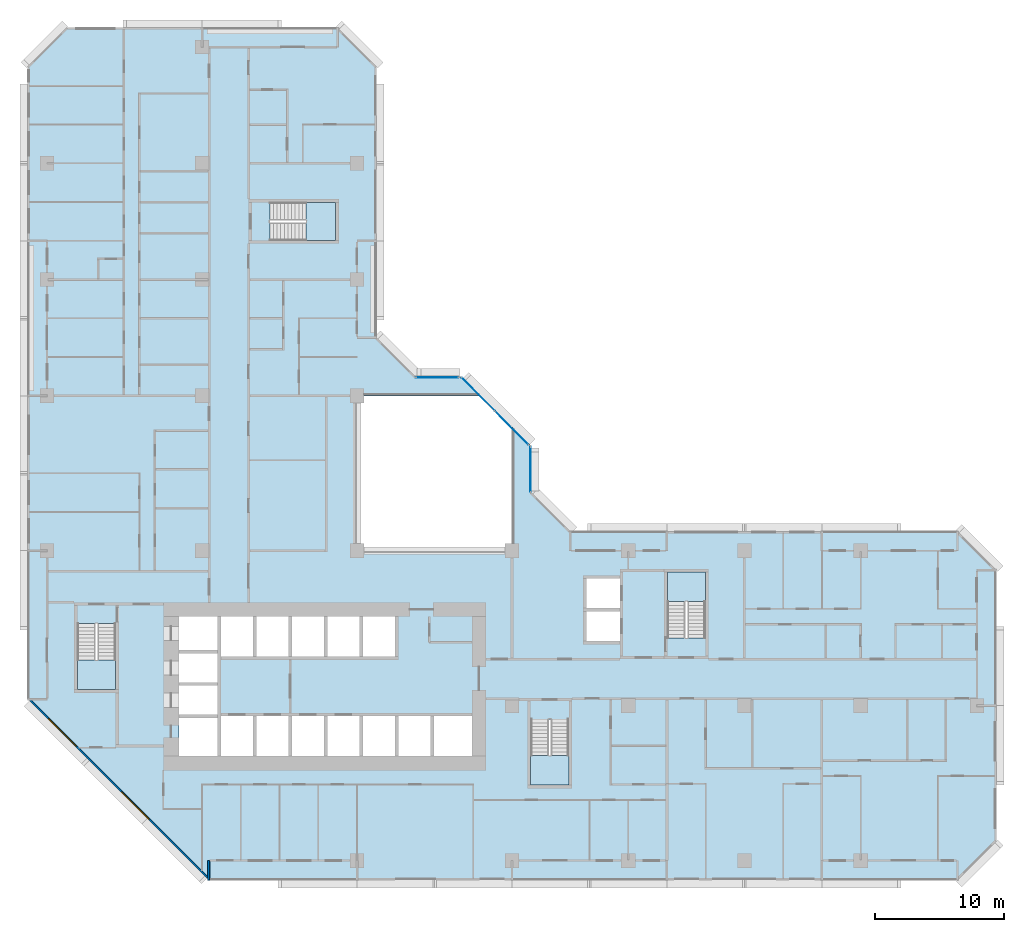
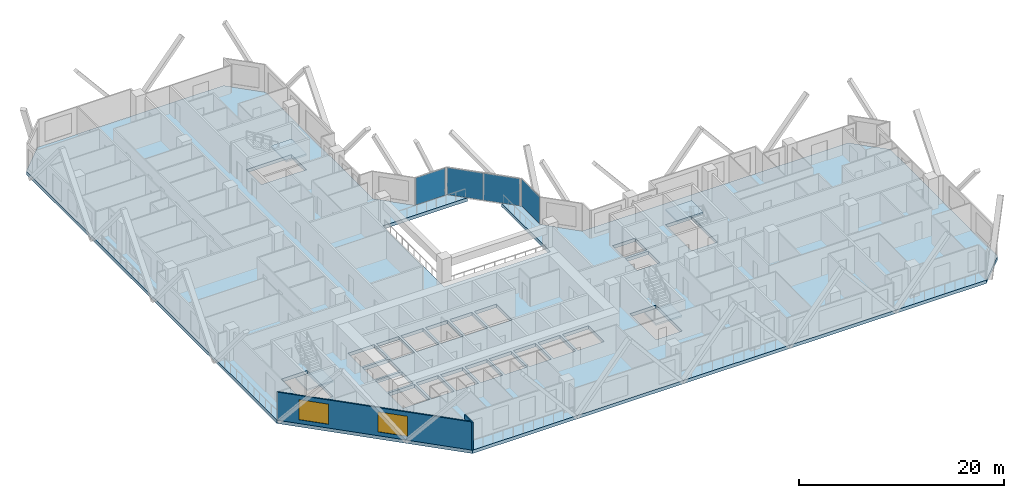
# One storey, part 3 of 15: 5 slabs, 4 plates, 2 walls, 2 windows, 2 openings, 7 elements without a shape of their own.
"""IFC4 building model written with IfcOpenShell, lengths in metres."""

import ifcopenshell
import ifcopenshell.guid

model = None  # the IFC model being written
_history = None  # IfcOwnerHistory: only IFC2X3 demands one
_inside = {}  # id of a spatial element -> (the spatial element, [elements in it])
_under = {}  # id of a project, library or spatial element -> (it, [spatial elements below it])
_declared = {}  # id of a project -> (the project, [libraries it declares])
_typed = {}  # id of a type object -> (the type object, [elements of that type])
_made_of = {}  # id of a material, layer set ... -> (it, [elements and type objects made of it])


def new_model(schema):
    """Start an empty IFC model of exactly this schema.

    Asked for "IFC4X3", IfcOpenShell would pick the latest addendum, in which some entities
    have other attributes; the version numbers below select the first issue.
    IFC2X3 requires an IfcOwnerHistory on every rooted entity: one is made here for all.
    """
    global model, _history
    if schema == "IFC4X3":
        model = ifcopenshell.file(schema_version=(4, 3, 0, 0))
    else:
        model = ifcopenshell.file(schema=schema)
    _inside.clear()
    _under.clear()
    _declared.clear()
    _typed.clear()
    _made_of.clear()
    _history = None
    if model.schema == "IFC2X3":
        org = make("IfcOrganization", Name="unknown")
        user = make(
            "IfcPersonAndOrganization",
            ThePerson=make("IfcPerson", FamilyName="unknown"),
            TheOrganization=org,
        )
        app = make(
            "IfcApplication",
            ApplicationDeveloper=org,
            Version="unknown",
            ApplicationFullName="unknown",
            ApplicationIdentifier="unknown",
        )
        _history = make(
            "IfcOwnerHistory",
            OwningUser=user,
            OwningApplication=app,
            ChangeAction="ADDED",
            CreationDate=0,
        )
    return model


def make(cls, **values):
    """One entity of the class cls with the attributes given. An attribute that is None is left unset."""
    return model.create_entity(
        cls, **{name: value for name, value in values.items() if value is not None}
    )


def rooted(cls, **values):
    """An entity with a GlobalId (a new one), such as an element, a storey or a relation."""
    return make(cls, GlobalId=ifcopenshell.guid.new(), OwnerHistory=_history, **values)


def si_unit(unit_type, name, prefix=None):
    """IfcSIUnit, for example si_unit("LENGTHUNIT", "METRE", prefix="MILLI")."""
    return make("IfcSIUnit", UnitType=unit_type, Prefix=prefix, Name=name)


def assignment(units):
    """IfcUnitAssignment: the units of a project."""
    return None if units is None else make("IfcUnitAssignment", Units=units)


def point(xyz):
    """IfcCartesianPoint."""
    return None if xyz is None else make("IfcCartesianPoint", Coordinates=xyz)


def direction(xyz):
    """IfcDirection."""
    return None if xyz is None else make("IfcDirection", DirectionRatios=xyz)


def frame(location, z_axis=None, x_axis=None):
    """IfcAxis2Placement3D, a coordinate frame: its origin and axes. An axis left out is left unset."""
    return make(
        "IfcAxis2Placement3D",
        Location=point(location),
        Axis=direction(z_axis),
        RefDirection=direction(x_axis),
    )


def frame_2d(location, x_axis=None):
    """IfcAxis2Placement2D, a coordinate frame in the plane: its origin and x axis."""
    return make(
        "IfcAxis2Placement2D", Location=point(location), RefDirection=direction(x_axis)
    )


def origin():
    """The frame at (0, 0, 0) with its axes left unset."""
    return frame((0.0, 0.0, 0.0))


def origin_2d():
    """The frame at (0, 0) in the plane with its x axis left unset."""
    return frame_2d((0.0, 0.0))


def place(relative_to, where):
    """IfcLocalPlacement: puts the frame where relative to a parent placement (None: the world)."""
    return make(
        "IfcLocalPlacement", PlacementRelTo=relative_to, RelativePlacement=where
    )


def context(
    kind, dimensions, precision=None, world=None, true_north=None, identifier=None
):
    """IfcGeometricRepresentationContext, for example the 3D "Model" context."""
    return make(
        "IfcGeometricRepresentationContext",
        ContextIdentifier=identifier,
        ContextType=kind,
        CoordinateSpaceDimension=dimensions,
        Precision=precision,
        WorldCoordinateSystem=world,
        TrueNorth=true_north,
    )


def subcontext(parent, identifier, kind, view, scale=None):
    """IfcGeometricRepresentationSubContext, for example "Body" below "Model"."""
    return make(
        "IfcGeometricRepresentationSubContext",
        ContextIdentifier=identifier,
        ContextType=kind,
        ParentContext=parent,
        TargetScale=scale,
        TargetView=view,
    )


def project(units=None, contexts=None):
    """IfcProject with its units and contexts."""
    return rooted(
        "IfcProject",
        Name="project",
        RepresentationContexts=contexts,
        UnitsInContext=assignment(units),
    )


def spatial(cls, under=None, at=None, **own):
    """A site, building, storey or space (cls), placed at a placement, below another one or the project."""
    s = rooted(cls, ObjectPlacement=at, **own)
    if under is not None:
        _under.setdefault(under.id(), (under, []))[1].append(s)
    return s


def polyline(points):
    """IfcPolyline through the points."""
    return make("IfcPolyline", Points=[point(p) for p in points])


def profile(cls, at=None, kind="AREA", **sizes):
    """A parametric profile (cls). Its sizes go by their IFC names, for example OverallWidth=200.0."""
    return make(cls, ProfileType=kind, Position=at, **sizes)


def rectangle(**sizes):
    """IfcRectangleProfileDef."""
    return profile("IfcRectangleProfileDef", **sizes)


def outline(outer, holes=None, kind="AREA"):
    """IfcArbitraryClosedProfileDef: a profile drawn as a closed curve; with holes, ...WithVoids."""
    if holes is None:
        return make("IfcArbitraryClosedProfileDef", ProfileType=kind, OuterCurve=outer)
    return make(
        "IfcArbitraryProfileDefWithVoids",
        ProfileType=kind,
        OuterCurve=outer,
        InnerCurves=holes,
    )


def extrude(swept, where, along, depth):
    """IfcExtrudedAreaSolid: the profile swept, set in the frame where, extruded along a direction by depth."""
    return make(
        "IfcExtrudedAreaSolid",
        SweptArea=swept,
        Position=where,
        ExtrudedDirection=direction(along),
        Depth=depth,
    )


def shape(context_of_items, identifier, shape_type, items):
    """IfcShapeRepresentation: the items that make up one representation, for example the "Body"."""
    return make(
        "IfcShapeRepresentation",
        ContextOfItems=context_of_items,
        RepresentationIdentifier=identifier,
        RepresentationType=shape_type,
        Items=items,
    )


def material(Name=None, Category=None):
    """IfcMaterial."""
    return make("IfcMaterial", Name=Name, Category=Category)


def layer(
    of_material, thickness, ventilated=None, Name=None, Category=None, Priority=None
):
    """IfcMaterialLayer: one layer of a wall or slab, of a material (None: an air gap)."""
    return make(
        "IfcMaterialLayer",
        Material=of_material,
        LayerThickness=thickness,
        IsVentilated=ventilated,
        Name=Name,
        Category=Category,
        Priority=Priority,
    )


def layer_set(layers, Name=None):
    """IfcMaterialLayerSet."""
    return make("IfcMaterialLayerSet", MaterialLayers=layers, LayerSetName=Name)


def made_of(thing, what):
    """Note that an element or type object is made of a material, layer set ...; save() writes the relation."""
    if what is not None:
        _made_of.setdefault(what.id(), (what, []))[1].append(thing)
    return thing


def type_object(cls, material=None, **own):
    """A type object (cls), such as IfcWallType, which elements share."""
    return made_of(rooted(cls, **own), material)


def element(
    cls,
    number,
    at=None,
    inside=None,
    cuts=None,
    type_object=None,
    material=None,
    context=None,
    identifier="Body",
    shape_type=None,
    held_by="IfcProductDefinitionShape",
    body=None,
    shapes=None,
    **own,
):
    """One element of the class cls, such as IfcWall. Its Tag is "e" and its number.

    at: its placement. inside: the storey or other place that contains it. cuts: it is an
    opening in that element (IfcRelVoidsElement). A single representation is given by context,
    identifier, shape_type and body (its items); several are given by shapes. held_by: the class
    of the entity that holds the representations. save() writes the other relations.
    """
    e = rooted(cls, Tag="e%d" % number, ObjectPlacement=at, **own)
    if body is not None:
        shapes = [shape(context, identifier, shape_type, body)]
    if shapes is not None:
        e.Representation = make(held_by, Representations=shapes)
    if inside is not None:
        _inside.setdefault(inside.id(), (inside, []))[1].append(e)
    if cuts is not None:
        rooted(
            "IfcRelVoidsElement", RelatingBuildingElement=cuts, RelatedOpeningElement=e
        )
    if type_object is not None:
        _typed.setdefault(type_object.id(), (type_object, []))[1].append(e)
    return made_of(e, material)


def fill(opening, filler):
    """IfcRelFillsElement: the door or window that sits in an opening."""
    return rooted(
        "IfcRelFillsElement",
        RelatingOpeningElement=opening,
        RelatedBuildingElement=filler,
    )


def aggregate(whole, parts):
    """IfcRelAggregates: a whole, such as a stair, and the parts it consists of."""
    return rooted("IfcRelAggregates", RelatingObject=whole, RelatedObjects=parts)


def save(model, path):
    """Write the relations noted so far, then the file.

    IfcRelAggregates (storeys below a building ...), IfcRelContainedInSpatialStructure (elements
    in a storey), IfcRelDefinesByType, IfcRelAssociatesMaterial and IfcRelDeclares: one each for
    every whole, place, type object, material and project.
    """
    for whole, parts in _under.values():
        aggregate(whole, parts)
    for where, things in _inside.values():
        rooted(
            "IfcRelContainedInSpatialStructure",
            RelatedElements=things,
            RelatingStructure=where,
        )
    for kind, things in _typed.values():
        rooted("IfcRelDefinesByType", RelatedObjects=things, RelatingType=kind)
    for what, things in _made_of.values():
        rooted("IfcRelAssociatesMaterial", RelatedObjects=things, RelatingMaterial=what)
    for by, libraries in _declared.values():
        rooted("IfcRelDeclares", RelatingContext=by, RelatedDefinitions=libraries)
    model.write(path)


model = new_model("IFC4")

# Units and contexts
model_context = context("Model", 3, precision=1e-05, world=origin(), true_north=direction((0.0, 1.0)))
body_context = subcontext(model_context, "Body", "Model", "MODEL_VIEW")
ifc_project = project(units=[si_unit("LENGTHUNIT", "METRE"), si_unit("AREAUNIT", "SQUARE_METRE"), si_unit("VOLUMEUNIT", "CUBIC_METRE"), si_unit("PLANEANGLEUNIT", "RADIAN"), si_unit("MASSUNIT", "GRAM", prefix="KILO")], contexts=[model_context])

# Site, building, storey
site_placement = place(None, origin())
site = spatial("IfcSite", under=ifc_project, at=site_placement, CompositionType="ELEMENT")
building_placement = place(site_placement, origin())
building = spatial("IfcBuilding", under=site, at=building_placement, Name="Chenar Terraces", CompositionType="ELEMENT")
storey_placement = place(building_placement, frame((0.0, 0.0, 56.39990234375)))
storey = spatial("IfcBuildingStorey", under=building, at=storey_placement, Name="L11", CompositionType="ELEMENT", Elevation=56.39990234375)

# Curtain wall, plate
ifc_material_1 = material(Name="Aluminium framed glazing", Category="aluminium")
ifc_layer_1 = layer(ifc_material_1, 0.14990234375)
ifc_layer_set_1 = layer_set([ifc_layer_1], Name="Aluminium framed glazing")
curtain_wall_type = type_object("IfcCurtainWallType", Name="Atrium curtain wall", PredefinedType="NOTDEFINED", material=ifc_layer_set_1)
placement_1 = place(storey_placement, origin())
curtain_wall_1 = element("IfcCurtainWall", 1, at=placement_1, inside=storey, type_object=curtain_wall_type, Name="Atrium curtain wall", PredefinedType="NOTDEFINED")
ifc_material_2 = material(Name="Low emissivity laminated glass, solar control coating", Category="glass")
ifc_layer_2 = layer(ifc_material_2, 0.028076171875)
ifc_layer_set_2 = layer_set([ifc_layer_2], Name="Low emissivity laminated glass, solar control coating")
plate_type = type_object("IfcPlateType", Name="Atrium glazing panel 28", PredefinedType="CURTAIN_PANEL", material=ifc_layer_set_2)
plate_1_placement = place(storey_placement, frame((37.425048828125, 30.300048828125, 0.06005859375), z_axis=(0.0, 0.0, 1.0), x_axis=(0.0, 1.0, 0.0)))
plate_1 = element("IfcPlate", 2, at=plate_1_placement, type_object=plate_type, Name="CW1-1 panel 1.1", PredefinedType="CURTAIN_PANEL", context=body_context, shape_type="SweptSolid", body=[
    extrude(rectangle(XDim=3.47998046875, YDim=0.028076171875, at=origin_2d()), origin(), (0.0, 0.0, 1.0), 3.22998046875),
])
aggregate(curtain_wall_1, [plate_1])

# Curtain wall, plates
curtain_wall_2 = element("IfcCurtainWall", 3, at=placement_1, inside=storey, type_object=curtain_wall_type, Name="Atrium curtain wall", PredefinedType="NOTDEFINED")
plate_2_placement = place(storey_placement, frame((35.980224609375, 33.513671875, 0.06005859375), z_axis=(0.0, 0.0, 1.0), x_axis=(-0.707106781187, 0.707106781187, 0.0)))
plate_2 = element("IfcPlate", 4, at=plate_2_placement, type_object=plate_type, Name="CW1-2 panel 1.1", PredefinedType="CURTAIN_PANEL", context=body_context, shape_type="SweptSolid", body=[
    extrude(rectangle(XDim=3.62841796875, YDim=0.028076171875, at=origin_2d()), origin(), (0.0, 0.0, 1.0), 3.22998046875),
])
plate_3_placement = place(storey_placement, frame((33.3720703125, 36.121826171875, 0.06005859375), z_axis=(0.0, 0.0, 1.0), x_axis=(-0.707106781187, 0.707106781187, 0.0)))
plate_3 = element("IfcPlate", 5, at=plate_3_placement, type_object=plate_type, Name="CW1-2 panel 2.1", PredefinedType="CURTAIN_PANEL", context=body_context, shape_type="SweptSolid", body=[
    extrude(rectangle(XDim=3.62841796875, YDim=0.028076171875, at=origin_2d()), origin(), (0.0, 0.0, 1.0), 3.22998046875),
])
aggregate(curtain_wall_2, [plate_2, plate_3])

# Curtain wall, plate
curtain_wall_3 = element("IfcCurtainWall", 6, at=placement_1, inside=storey, type_object=curtain_wall_type, Name="Atrium curtain wall", PredefinedType="NOTDEFINED")
plate_4_placement = place(storey_placement, frame((30.199951171875, 37.425048828125, 0.06005859375), z_axis=(0.0, 0.0, 1.0), x_axis=(-1.0, 0.0, 0.0)))
plate_4 = element("IfcPlate", 7, at=plate_4_placement, type_object=plate_type, Name="CW1-3 panel 1.1", PredefinedType="CURTAIN_PANEL", context=body_context, shape_type="SweptSolid", body=[
    extrude(rectangle(XDim=3.280029296875, YDim=0.028076171875, at=origin_2d()), origin(), (0.0, 0.0, 1.0), 3.22998046875),
])
aggregate(curtain_wall_3, [plate_4])

# Stair, slab
ifc_material_3 = material(Name="Reinforced concrete C40/50", Category="concrete")
stair_type = type_object("IfcStairType", Name="Core stair 1400 half-turn", PredefinedType="HALF_TURN_STAIR", material=ifc_material_3)
stair_1 = element("IfcStair", 8, at=placement_1, inside=storey, type_object=stair_type, Name="L11 Stair 1", PredefinedType="HALF_TURN_STAIR")
ifc_material_4 = material(Name="Reinforced concrete C40/50", Category="concrete")
ifc_layer_3 = layer(ifc_material_4, 0.199951171875)
ifc_layer_set_3 = layer_set([ifc_layer_3], Name="Reinforced concrete C40/50")
slab_type_1 = type_object("IfcSlabType", Name="Core stair landing 200", PredefinedType="LANDING", material=ifc_layer_set_3)
placement_2 = place(storey_placement, frame((0.0, 0.0, 1.675048828125)))
slab_1 = element("IfcSlab", 9, at=placement_2, type_object=slab_type_1, Name="ST1 landing 1", PredefinedType="LANDING", context=body_context, shape_type="SweptSolid", body=[
    extrude(outline(polyline([(2.35009765625, 15.550048828125), (2.35009765625, 13.25), (5.300048828125, 13.25), (5.300048828125, 15.550048828125), (2.35009765625, 15.550048828125)])), origin(), (0.0, 0.0, 1.0), 0.199951171875),
])
aggregate(stair_1, [slab_1])

stair_2 = element("IfcStair", 10, at=placement_1, inside=storey, type_object=stair_type, Name="L11 Stair 2", PredefinedType="HALF_TURN_STAIR")
slab_2 = element("IfcSlab", 11, at=placement_2, type_object=slab_type_1, Name="ST2 landing 1", PredefinedType="LANDING", context=body_context, shape_type="SweptSolid", body=[
    extrude(outline(polyline([(37.449951171875, 8.14990234375), (37.449951171875, 5.85009765625), (40.39990234375, 5.85009765625), (40.39990234375, 8.14990234375), (37.449951171875, 8.14990234375)])), origin(), (0.0, 0.0, 1.0), 0.199951171875),
])
aggregate(stair_2, [slab_2])

stair_3 = element("IfcStair", 12, at=placement_1, inside=storey, type_object=stair_type, Name="L11 Stair 3", PredefinedType="HALF_TURN_STAIR")
slab_3 = element("IfcSlab", 13, at=placement_2, type_object=slab_type_1, Name="ST3 landing 1", PredefinedType="LANDING", context=body_context, shape_type="SweptSolid", body=[
    extrude(outline(polyline([(50.97509765625, 20.050048828125), (50.97509765625, 22.35009765625), (48.02490234375, 22.35009765625), (48.02490234375, 20.050048828125), (50.97509765625, 20.050048828125)])), origin(), (0.0, 0.0, 1.0), 0.199951171875),
])
aggregate(stair_3, [slab_3])

stair_4 = element("IfcStair", 14, at=placement_1, inside=storey, type_object=stair_type, Name="L11 Stair 4", PredefinedType="HALF_TURN_STAIR")
slab_4 = element("IfcSlab", 15, at=placement_2, type_object=slab_type_1, Name="ST4 landing 1", PredefinedType="LANDING", context=body_context, shape_type="SweptSolid", body=[
    extrude(outline(polyline([(20.050048828125, 48.02490234375), (22.35009765625, 48.02490234375), (22.35009765625, 50.97509765625), (20.050048828125, 50.97509765625), (20.050048828125, 48.02490234375)])), origin(), (0.0, 0.0, 1.0), 0.199951171875),
])
aggregate(stair_4, [slab_4])

# Slab
ifc_material_5 = material(Name="Concrete C40/50", Category="concrete")
ifc_layer_4 = layer(ifc_material_5, 0.39990234375)
ifc_layer_set_4 = layer_set([ifc_layer_4], Name="Concrete C40/50")
slab_type_2 = type_object("IfcSlabType", Name="Floor slab 400 Concrete C40/50", PredefinedType="FLOOR", material=ifc_layer_set_4)
slab_5_placement = place(storey_placement, frame((0.0, 0.0, -0.39990234375)))
element("IfcSlab", 16, at=slab_5_placement, inside=storey, type_object=slab_type_2, Name="Floor slab L11", PredefinedType="FLOOR", context=body_context, shape_type="SweptSolid", body=[
    extrude(outline(polyline([(73.5, 22.5), (73.5, 1.5), (70.5, -1.5), (12.5, -1.5), (-1.5, 12.5), (-1.5, 61.5), (1.5, 64.5), (22.5, 64.5), (25.5, 61.5), (25.5, 40.5), (28.5, 37.5), (32.10009765625, 37.5), (33.60009765625, 36.0), (24.0, 36.0), (24.0, 24.0), (36.0, 24.0), (36.0, 33.60009765625), (37.5, 32.10009765625), (37.5, 28.5), (40.5, 25.5), (70.5, 25.5), (73.5, 22.5)]), holes=[polyline([(13.199951171875, 11.050048828125), (10.199951171875, 11.050048828125), (10.199951171875, 8.10009765625), (13.199951171875, 8.10009765625), (13.199951171875, 11.050048828125)]), polyline([(15.949951171875, 11.199951171875), (13.449951171875, 11.199951171875), (13.449951171875, 8.10009765625), (15.949951171875, 8.10009765625), (15.949951171875, 11.199951171875)]), polyline([(18.699951171875, 11.199951171875), (16.199951171875, 11.199951171875), (16.199951171875, 8.10009765625), (18.699951171875, 8.10009765625), (18.699951171875, 11.199951171875)]), polyline([(21.449951171875, 8.10009765625), (21.449951171875, 11.199951171875), (18.949951171875, 11.199951171875), (18.949951171875, 8.10009765625), (21.449951171875, 8.10009765625)]), polyline([(13.199951171875, 11.300048828125), (13.199951171875, 13.550048828125), (10.199951171875, 13.550048828125), (10.199951171875, 11.300048828125), (13.199951171875, 11.300048828125)]), polyline([(13.199951171875, 16.050048828125), (10.199951171875, 16.050048828125), (10.199951171875, 13.800048828125), (13.199951171875, 13.800048828125), (13.199951171875, 16.050048828125)]), polyline([(2.35009765625, 18.35009765625), (2.35009765625, 13.25), (5.300048828125, 13.25), (5.300048828125, 18.35009765625), (2.35009765625, 18.35009765625)]), polyline([(15.949951171875, 15.800048828125), (15.949951171875, 18.89990234375), (13.449951171875, 18.89990234375), (13.449951171875, 15.800048828125), (15.949951171875, 15.800048828125)]), polyline([(18.699951171875, 18.89990234375), (16.199951171875, 18.89990234375), (16.199951171875, 15.800048828125), (18.699951171875, 15.800048828125), (18.699951171875, 18.89990234375)]), polyline([(21.449951171875, 15.800048828125), (21.449951171875, 18.89990234375), (18.949951171875, 18.89990234375), (18.949951171875, 15.800048828125), (21.449951171875, 15.800048828125)]), polyline([(13.199951171875, 16.300048828125), (13.199951171875, 18.89990234375), (10.199951171875, 18.89990234375), (10.199951171875, 16.300048828125), (13.199951171875, 16.300048828125)]), polyline([(22.35009765625, 48.02490234375), (22.35009765625, 50.97509765625), (17.25, 50.97509765625), (17.25, 48.02490234375), (22.35009765625, 48.02490234375)]), polyline([(37.449951171875, 10.949951171875), (37.449951171875, 5.85009765625), (40.39990234375, 5.85009765625), (40.39990234375, 10.949951171875), (37.449951171875, 10.949951171875)]), polyline([(24.199951171875, 8.10009765625), (24.199951171875, 11.199951171875), (21.699951171875, 11.199951171875), (21.699951171875, 8.10009765625), (24.199951171875, 8.10009765625)]), polyline([(26.949951171875, 11.199951171875), (24.449951171875, 11.199951171875), (24.449951171875, 8.10009765625), (26.949951171875, 8.10009765625), (26.949951171875, 11.199951171875)]), polyline([(29.699951171875, 8.10009765625), (29.699951171875, 11.199951171875), (27.199951171875, 11.199951171875), (27.199951171875, 8.10009765625), (29.699951171875, 8.10009765625)]), polyline([(32.89990234375, 8.10009765625), (32.89990234375, 11.199951171875), (29.949951171875, 11.199951171875), (29.949951171875, 8.10009765625), (32.89990234375, 8.10009765625)]), polyline([(24.199951171875, 18.89990234375), (21.699951171875, 18.89990234375), (21.699951171875, 15.800048828125), (24.199951171875, 15.800048828125), (24.199951171875, 18.89990234375)]), polyline([(26.949951171875, 15.800048828125), (26.949951171875, 18.89990234375), (24.449951171875, 18.89990234375), (24.449951171875, 15.800048828125), (26.949951171875, 15.800048828125)]), polyline([(44.35009765625, 17.0), (44.35009765625, 19.300048828125), (41.75, 19.300048828125), (41.75, 17.0), (44.35009765625, 17.0)]), polyline([(50.97509765625, 22.35009765625), (48.02490234375, 22.35009765625), (48.02490234375, 17.25), (50.97509765625, 17.25), (50.97509765625, 22.35009765625)]), polyline([(44.35009765625, 19.550048828125), (44.35009765625, 21.85009765625), (41.75, 21.85009765625), (41.75, 19.550048828125), (44.35009765625, 19.550048828125)])]), origin(), (0.0, 0.0, 1.0), 0.39990234375),
])

# Wall
ifc_material_6 = material(Name="Terracotta cladding on insulated backing", Category="masonry")
ifc_layer_5 = layer(ifc_material_6, 0.14990234375)
ifc_layer_set_5 = layer_set([ifc_layer_5], Name="Terracotta cladding on insulated backing")
wall_type_1 = type_object("IfcWallType", Name="Loggia return wall 150", PredefinedType="SOLIDWALL", material=ifc_layer_set_5)
wall_1_placement = place(storey_placement, frame((12.5, -1.5, 0.0), z_axis=(0.0, 0.0, 1.0), x_axis=(0.0, 1.0, 0.0)))
element("IfcWall", 17, at=wall_1_placement, inside=storey, type_object=wall_type_1, Name="Loggia return wall", PredefinedType="SOLIDWALL", context=body_context, shape_type="SweptSolid", body=[
    extrude(rectangle(XDim=1.5, YDim=0.14990234375, at=frame_2d((0.75, 0.0))), origin(), (0.0, 0.0, 1.0), 3.35009765625),
])

# Wall, openings, windows
ifc_material_7 = material(Name="Terracotta cladding on insulated backing", Category="masonry")
ifc_layer_6 = layer(ifc_material_7, 0.14990234375)
ifc_layer_set_6 = layer_set([ifc_layer_6], Name="Terracotta cladding on insulated backing")
wall_type_2 = type_object("IfcWallType", Name="Terracotta rainscreen wall 150", PredefinedType="SOLIDWALL", material=ifc_layer_set_6)
wall_2_placement = place(storey_placement, frame((-1.447021484375, 12.552978515625, 0.0), z_axis=(0.0, 0.0, 1.0), x_axis=(0.707106781187, -0.707106781187, 0.0)))
wall_2 = element("IfcWall", 18, at=wall_2_placement, inside=storey, type_object=wall_type_2, Name="Terracotta rainscreen wall", PredefinedType="SOLIDWALL", context=body_context, shape_type="SweptSolid", body=[
    extrude(rectangle(XDim=19.799072265625, YDim=0.14990234375, at=frame_2d((9.8994140625, 0.0))), origin(), (0.0, 0.0, 1.0), 3.35009765625),
])
opening_1_placement = place(wall_2_placement, frame((2.21240234375, 0.0, 0.449951171875)))
opening_1 = element("IfcOpeningElement", 19, at=opening_1_placement, cuts=wall_2, Name="Opening W300x240", PredefinedType="OPENING", context=body_context, shape_type="SweptSolid", body=[
    extrude(rectangle(XDim=3.0, YDim=2.39990234375, at=frame_2d((1.5, 1.199951171875))), frame((0.0, 0.0849609375, 0.0), z_axis=(0.0, -1.0, 0.0), x_axis=(1.0, 0.0, 0.0)), (0.0, 0.0, 1.0), 0.169921875),
])
opening_2_placement = place(wall_2_placement, frame((10.215576171875, 0.0, 0.449951171875)))
opening_2 = element("IfcOpeningElement", 20, at=opening_2_placement, cuts=wall_2, Name="Opening W300x240", PredefinedType="OPENING", context=body_context, shape_type="SweptSolid", body=[
    extrude(rectangle(XDim=3.0, YDim=2.39990234375, at=frame_2d((1.5, 1.199951171875))), frame((0.0, 0.0849609375, 0.0), z_axis=(0.0, -1.0, 0.0), x_axis=(1.0, 0.0, 0.0)), (0.0, 0.0, 1.0), 0.169921875),
])
ifc_material_8 = material(Name="Low emissivity double glazing, aluminium frame", Category="aluminium")
window_type = type_object("IfcWindowType", Name="Fixed light 3000 x 2400", PartitioningType="SINGLE_PANEL", PredefinedType="WINDOW", material=ifc_material_8)
window_1_placement = place(opening_1_placement, origin())
window_1 = element("IfcWindow", 21, at=window_1_placement, inside=storey, type_object=window_type, Name="Window", OverallHeight=2.39990234375, OverallWidth=3.0, PartitioningType="SINGLE_PANEL", PredefinedType="WINDOW", context=body_context, shape_type="SweptSolid", body=[
    extrude(rectangle(XDim=3.0, YDim=2.39990234375, at=frame_2d((1.5, 1.199951171875))), frame((0.0, 0.030029296875, 0.0), z_axis=(0.0, -1.0, 0.0), x_axis=(1.0, 0.0, 0.0)), (0.0, 0.0, 1.0), 0.06005859375),
])
fill(opening_1, window_1)
window_2_placement = place(opening_2_placement, origin())
window_2 = element("IfcWindow", 22, at=window_2_placement, inside=storey, type_object=window_type, Name="Window", OverallHeight=2.39990234375, OverallWidth=3.0, PartitioningType="SINGLE_PANEL", PredefinedType="WINDOW", context=body_context, shape_type="SweptSolid", body=[
    extrude(rectangle(XDim=3.0, YDim=2.39990234375, at=frame_2d((1.5, 1.199951171875))), frame((0.0, 0.030029296875, 0.0), z_axis=(0.0, -1.0, 0.0), x_axis=(1.0, 0.0, 0.0)), (0.0, 0.0, 1.0), 0.06005859375),
])
fill(opening_2, window_2)

save(model, "model.ifc")
